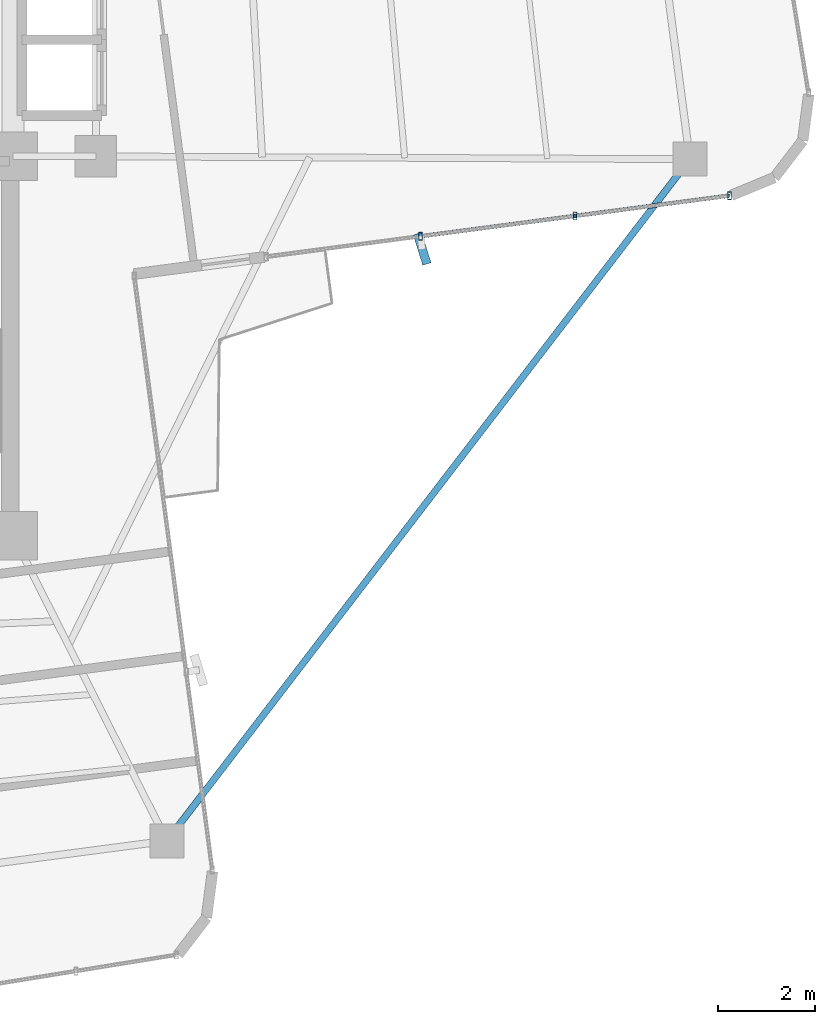
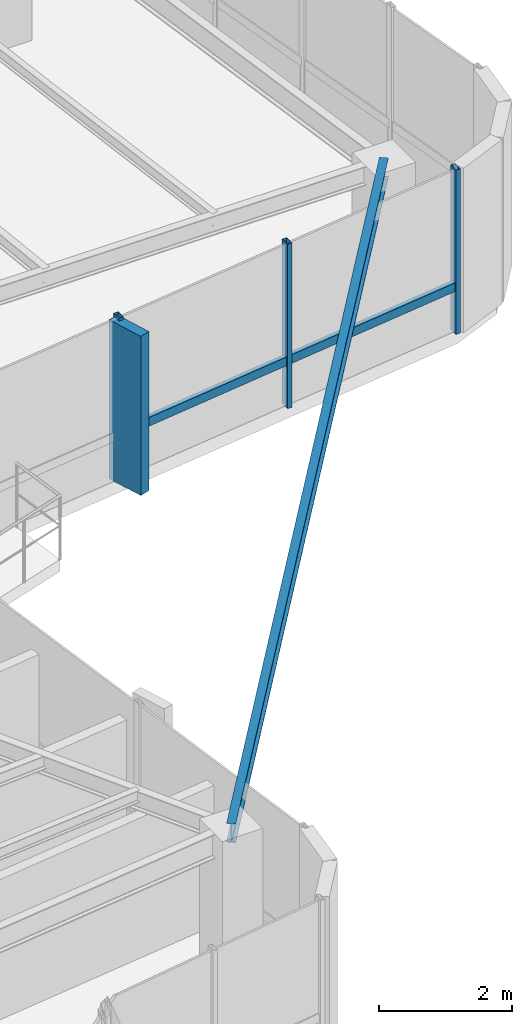
# One storey, part 12 of 22: 6 members, 1 beam, 1 element without a shape of its own.
"""IFC4 building model written with IfcOpenShell, lengths in metres."""

from ifc_helpers import new_model, si_unit, direction, frame, origin, origin_2d, place, context, subcontext, project, spatial, rectangle, hollow_rectangle, i_section, extrude, source, transform, mapped, material, material_profile, profile_set, type_object, element, aggregate, save


model = new_model("IFC4")

# Units and contexts
model_context = context("Model", 3, precision=1e-05, world=origin(), true_north=direction((0.0, 1.0)))
body_context = subcontext(model_context, "Body", "Model", "MODEL_VIEW")
ifc_project = project(units=[si_unit("LENGTHUNIT", "METRE"), si_unit("AREAUNIT", "SQUARE_METRE"), si_unit("VOLUMEUNIT", "CUBIC_METRE"), si_unit("PLANEANGLEUNIT", "RADIAN"), si_unit("MASSUNIT", "GRAM", prefix="KILO")], contexts=[model_context])

# Site, building, storey
site_placement = place(None, origin())
site = spatial("IfcSite", under=ifc_project, at=site_placement, CompositionType="ELEMENT")
building_placement = place(site_placement, origin())
building = spatial("IfcBuilding", under=site, at=building_placement, Name="Sahyath Konkavel Grand Hotel", CompositionType="ELEMENT")
storey_placement = place(building_placement, frame((0.0, 0.0, 261.25)))
storey = spatial("IfcBuildingStorey", under=building, at=storey_placement, Name="L73", CompositionType="ELEMENT", Elevation=261.25)

# Beam
ifc_material_1 = material(Name="Steel E350", Category="steel")
ifc_material_profile_1 = material_profile(ifc_material_1, i_section(OverallWidth=0.139892578125, OverallDepth=0.35009765625, WebThickness=0.008056640625, FlangeThickness=0.01416015625, FilletRadius=0.013916015625, at=origin_2d()), Name="ISMB 350")
ifc_profile_set_1 = profile_set([ifc_material_profile_1], Name="Steel E350")
beam_type = type_object("IfcBeamType", Name="BM-ISMB350", PredefinedType="BEAM", material=ifc_profile_set_1)
shared_shape_1 = source(origin(), body_context, "Body", "SweptSolid", [
    extrude(i_section(OverallWidth=0.139892578125, OverallDepth=0.35009765625, WebThickness=0.008056640625, FlangeThickness=0.01416015625, FilletRadius=0.013916015625, at=origin_2d()), origin(), (0.0, 0.0, 1.0), 17.663330078125),
])
beam_placement = place(storey_placement, frame((17.71240234375, -2.458984375, 2.85498046875), z_axis=(-0.608754453805, -0.793358692504, 0.0), x_axis=(0.793358692504, -0.608754453805, 0.0)))
element("IfcBeam", 1, at=beam_placement, inside=storey, type_object=beam_type, Name="L73 Re-Entrant Tie Beam SE", PredefinedType="BEAM", context=body_context, shape_type="MappedRepresentation", body=[
    mapped(shared_shape_1, transform((0.0, 0.0, 0.0), scale=1.0)),
])

# Curtain wall, members
ifc_material_2 = material(Name="Anodised Bronze Aluminium & Low-E Glazing", Category="aluminium")
curtain_wall_type = type_object("IfcCurtainWallType", Name="CW-ZONE4", PredefinedType="NOTDEFINED", material=ifc_material_2)
curtain_wall_placement = place(storey_placement, origin())
curtain_wall = element("IfcCurtainWall", 2, at=curtain_wall_placement, inside=storey, type_object=curtain_wall_type, Name="L73 Unitised Curtain Wall F0", PredefinedType="NOTDEFINED")
ifc_material_3 = material(Name="Anodised Bronze Aluminium", Category="aluminium")
ifc_material_profile_2 = material_profile(ifc_material_3, hollow_rectangle(XDim=0.080078125, YDim=0.159912109375, WallThickness=0.006103515625, at=origin_2d()), Name="RHS 160x80x6")
ifc_profile_set_2 = profile_set([ifc_material_profile_2], Name="Anodised Bronze Aluminium")
member_type_1 = type_object("IfcMemberType", Name="CW-MUL-160", PredefinedType="MULLION", material=ifc_profile_set_2)
shared_shape_2 = source(origin(), body_context, "Body", "SweptSolid", [
    extrude(hollow_rectangle(XDim=0.080078125, YDim=0.159912109375, WallThickness=0.006103515625, at=origin_2d()), origin(), (0.0, 0.0, 1.0), 3.030029296875),
])
member_1_placement = place(storey_placement, frame((12.175537109375, -4.04541015625, 0.0), z_axis=(0.0, 0.0, 1.0), x_axis=(1.0, 0.0, 0.0)))
member_1 = element("IfcMember", 3, at=member_1_placement, type_object=member_type_1, Name="L73 Curtain Wall Mullion F0-1", PredefinedType="MULLION", context=body_context, shape_type="MappedRepresentation", body=[
    mapped(shared_shape_2, transform((0.0, 0.0, 0.0), scale=1.0)),
])
member_2_placement = place(storey_placement, frame((15.351318359375, -3.627197265625, 0.0), z_axis=(0.0, 0.0, 1.0), x_axis=(1.0, 0.0, 0.0)))
member_2 = element("IfcMember", 4, at=member_2_placement, type_object=member_type_1, Name="L73 Curtain Wall Mullion F0-2", PredefinedType="MULLION", context=body_context, shape_type="MappedRepresentation", body=[
    mapped(shared_shape_2, transform((0.0, 0.0, 0.0), scale=1.0)),
])
member_3_placement = place(storey_placement, frame((18.52734375, -3.208984375, 0.0), z_axis=(0.0, 0.0, 1.0), x_axis=(1.0, 0.0, 0.0)))
member_3 = element("IfcMember", 5, at=member_3_placement, type_object=member_type_1, Name="L73 Curtain Wall Mullion F0-3", PredefinedType="MULLION", context=body_context, shape_type="MappedRepresentation", body=[
    mapped(shared_shape_2, transform((0.0, 0.0, 0.0), scale=1.0)),
])
ifc_material_4 = material(Name="Warm Buff Sandstone Cladding on Concrete C50/60", Category="masonry")
ifc_material_profile_3 = material_profile(ifc_material_4, rectangle(XDim=0.179931640625, YDim=0.64990234375, at=origin_2d()), Name="FIN 180x650")
ifc_profile_set_3 = profile_set([ifc_material_profile_3], Name="Warm Buff Sandstone Cladding on Concrete C50/60")
member_type_2 = type_object("IfcMemberType", Name="FIN-SANDSTONE-650", PredefinedType="MULLION", material=ifc_profile_set_3)
shared_shape_3 = source(origin(), body_context, "Body", "SweptSolid", [
    extrude(rectangle(XDim=0.179931640625, YDim=0.64990234375, at=origin_2d()), origin(), (0.0, 0.0, 1.0), 2.929931640625),
])
member_4_placement = place(storey_placement, frame((12.20947265625, -4.30322265625, 0.050048828125), z_axis=(0.0, 0.0, 1.0), x_axis=(0.954812686667, 0.297208232354, 0.0)))
member_4 = element("IfcMember", 6, at=member_4_placement, type_object=member_type_2, Name="L73 Sandstone Vertical Solar Fin FIN F0-1", PredefinedType="MULLION", context=body_context, shape_type="MappedRepresentation", body=[
    mapped(shared_shape_3, transform((0.0, 0.0, 0.0), scale=1.0)),
])
ifc_material_profile_4 = material_profile(ifc_material_3, hollow_rectangle(XDim=0.080078125, YDim=0.159912109375, WallThickness=0.006103515625, at=origin_2d()), Name="RHS 160x80x6")
ifc_profile_set_4 = profile_set([ifc_material_profile_4], Name="Anodised Bronze Aluminium")
member_type_3 = type_object("IfcMemberType", Name="CW-TRN-160", PredefinedType="USERDEFINED", material=ifc_profile_set_4)
shared_shape_4 = source(origin(), body_context, "Body", "SweptSolid", [
    extrude(hollow_rectangle(XDim=0.080078125, YDim=0.159912109375, WallThickness=0.006103515625, at=origin_2d()), origin(), (0.0, 0.0, 1.0), 3.203369140625),
])
member_5_placement = place(storey_placement, frame((15.351318359375, -3.627197265625, 0.85009765625), z_axis=(0.991441580194, 0.130551112835, 0.0), x_axis=(-0.130551112835, 0.991441580194, 0.0)))
member_5 = element("IfcMember", 7, at=member_5_placement, type_object=member_type_3, Name="L73 Curtain Wall Transom F0-2-spandrel", ObjectType="TRANSOM", PredefinedType="USERDEFINED", context=body_context, shape_type="MappedRepresentation", body=[
    mapped(shared_shape_4, transform((0.0, 0.0, 0.0), scale=1.0)),
])
shared_shape_5 = source(origin(), body_context, "Body", "SweptSolid", [
    extrude(hollow_rectangle(XDim=0.080078125, YDim=0.159912109375, WallThickness=0.006103515625, at=origin_2d()), origin(), (0.0, 0.0, 1.0), 3.203125),
])
member_6_placement = place(storey_placement, frame((12.175537109375, -4.04541015625, 0.85009765625), z_axis=(0.991440281121, 0.13056097798, 0.0), x_axis=(-0.13056097798, 0.991440281121, 0.0)))
member_6 = element("IfcMember", 8, at=member_6_placement, type_object=member_type_3, Name="L73 Curtain Wall Transom F0-1-spandrel", ObjectType="TRANSOM", PredefinedType="USERDEFINED", context=body_context, shape_type="MappedRepresentation", body=[
    mapped(shared_shape_5, transform((0.0, 0.0, 0.0), scale=1.0)),
])
aggregate(curtain_wall, [member_1, member_4, member_2, member_3, member_6, member_5])

save(model, "model.ifc")
